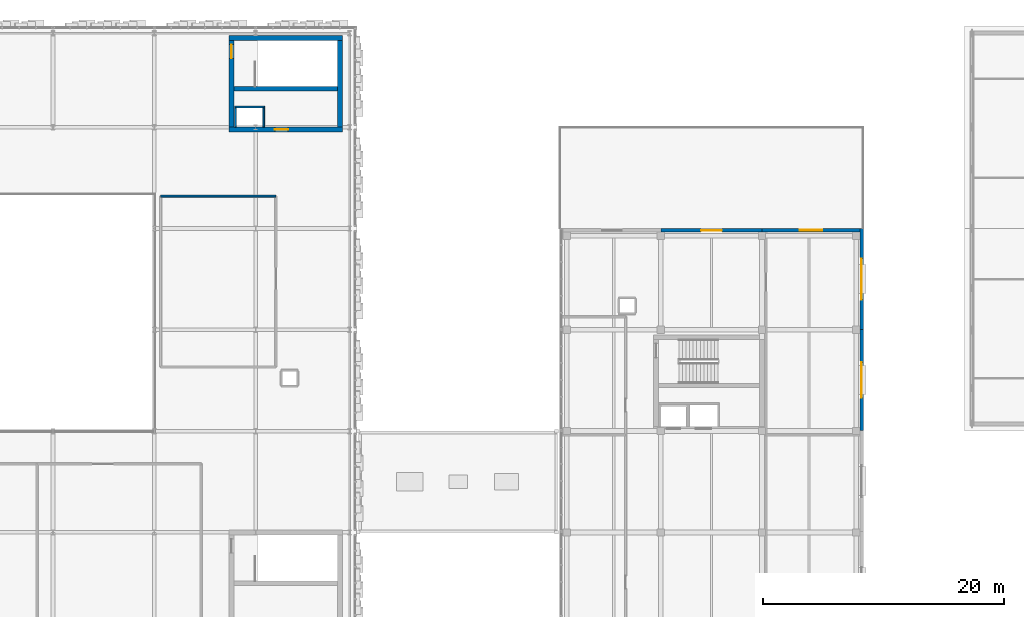
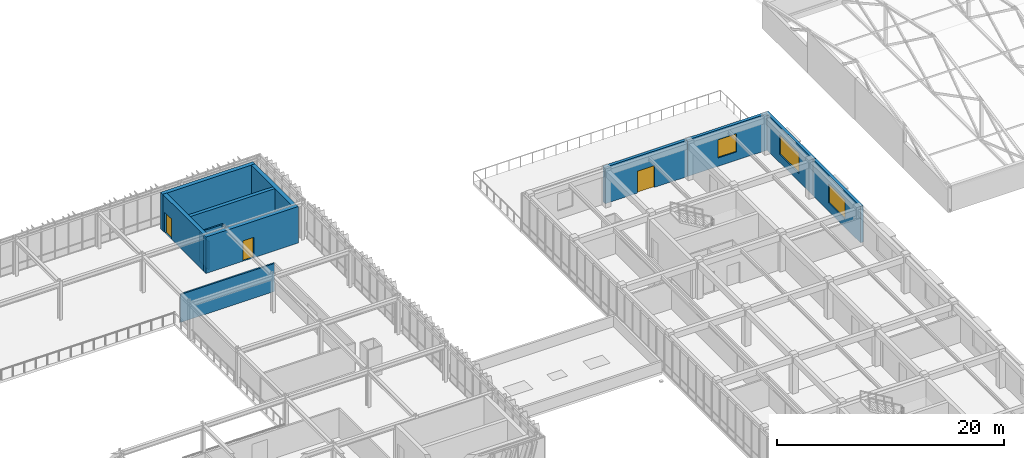
# One storey, part 114 of 123: 13 walls, 3 doors, 3 windows, 6 openings.
"""IFC4 building model written with IfcOpenShell, lengths in metres."""

from ifc_helpers import new_model, si_unit, direction, frame, frame_2d, origin, place, context, subcontext, project, spatial, rectangle, extrude, material, layer, layer_set, type_object, element, fill, save


model = new_model("IFC4")

# Units and contexts
model_context = context("Model", 3, precision=1e-05, world=origin(), true_north=direction((0.0, 1.0)))
body_context = subcontext(model_context, "Body", "Model", "MODEL_VIEW")
ifc_project = project(units=[si_unit("LENGTHUNIT", "METRE"), si_unit("AREAUNIT", "SQUARE_METRE"), si_unit("VOLUMEUNIT", "CUBIC_METRE"), si_unit("PLANEANGLEUNIT", "RADIAN"), si_unit("MASSUNIT", "GRAM", prefix="KILO")], contexts=[model_context])

# Site, building, storey
site_placement = place(None, origin())
site = spatial("IfcSite", under=ifc_project, at=site_placement, CompositionType="ELEMENT")
building_placement = place(site_placement, origin())
building = spatial("IfcBuilding", under=site, at=building_placement, Name="Zayran Congress Hotel", CompositionType="ELEMENT")
storey_placement = place(building_placement, frame((0.0, 0.0, 15.0)))
storey = spatial("IfcBuildingStorey", under=building, at=storey_placement, Name="L03", CompositionType="ELEMENT", Elevation=15.0)

# Wall, opening, door
ifc_material_1 = material(Name="Ajlun white limestone and insulated concrete C32/40", Category="masonry")
ifc_layer_1 = layer(ifc_material_1, 0.300048828125)
ifc_layer_set_1 = layer_set([ifc_layer_1], Name="Ajlun white limestone and insulated concrete C32/40")
wall_type_1 = type_object("IfcWallType", Name="WL-EX-300", PredefinedType="SOLIDWALL", material=ifc_layer_set_1)
wall_1_placement = place(storey_placement, frame((117.60009765625, 101.050048828125, 0.0), z_axis=(0.0, 0.0, 1.0), x_axis=(1.0, 0.0, 0.0)))
wall_1 = element("IfcWall", 1, at=wall_1_placement, inside=storey, type_object=wall_type_1, Name="EW-V4-N-L03-1", PredefinedType="SOLIDWALL", context=body_context, shape_type="SweptSolid", body=[
    extrude(rectangle(XDim=8.39990234375, YDim=0.300048828125, at=frame_2d((4.199951171875, 0.0))), origin(), (0.0, 0.0, 1.0), 3.919921875),
])
opening_1_placement = place(wall_1_placement, frame((3.340087890625, 0.0, 0.0)))
opening_1 = element("IfcOpeningElement", 2, at=opening_1_placement, cuts=wall_1, Name="Opening DEX-07", PredefinedType="OPENING", context=body_context, shape_type="SweptSolid", body=[
    extrude(rectangle(XDim=1.719970703125, YDim=2.35009765625, at=frame_2d((0.85986328125, 1.175048828125))), frame((0.0, 0.159912109375, 0.0), z_axis=(0.0, -1.0, 0.0), x_axis=(1.0, 0.0, 0.0)), (0.0, 0.0, 1.0), 0.320068359375),
])
ifc_material_2 = material(Name="Anodised aluminium garden terrace door", Category="aluminium")
door_type_1 = type_object("IfcDoorType", Name="TP-DEX-07", OperationType="DOUBLE_DOOR_SINGLE_SWING", PredefinedType="DOOR", material=ifc_material_2)
door_1_placement = place(opening_1_placement, origin())
door_1 = element("IfcDoor", 3, at=door_1_placement, inside=storey, type_object=door_type_1, Name="V4 L03 N Terrace Access Door", OperationType="DOUBLE_DOOR_SINGLE_SWING", OverallHeight=2.35009765625, OverallWidth=1.719970703125, PredefinedType="DOOR", context=body_context, shape_type="SweptSolid", body=[
    extrude(rectangle(XDim=1.719970703125, YDim=2.35009765625, at=frame_2d((0.85986328125, 1.175048828125))), frame((0.0, 0.02490234375, 0.0), z_axis=(0.0, -1.0, 0.0), x_axis=(1.0, 0.0, 0.0)), (0.0, 0.0, 1.0), 0.050048828125),
])
fill(opening_1, door_1)

# Wall, opening, window
wall_2_placement = place(storey_placement, frame((126.0, 101.050048828125, 0.0), z_axis=(0.0, 0.0, 1.0), x_axis=(1.0, 0.0, 0.0)))
wall_2 = element("IfcWall", 4, at=wall_2_placement, inside=storey, type_object=wall_type_1, Name="EW-V4-N-L03-2", PredefinedType="SOLIDWALL", context=body_context, shape_type="SweptSolid", body=[
    extrude(rectangle(XDim=8.10009765625, YDim=0.300048828125, at=frame_2d((4.050048828125, 0.0))), origin(), (0.0, 0.0, 1.0), 3.919921875),
])
opening_2_placement = place(wall_2_placement, frame((3.110107421875, 0.0, 0.89990234375)))
opening_2 = element("IfcOpeningElement", 5, at=opening_2_placement, cuts=wall_2, Name="Opening WN-38", PredefinedType="OPENING", context=body_context, shape_type="SweptSolid", body=[
    extrude(rectangle(XDim=1.8798828125, YDim=1.949951171875, at=frame_2d((0.93994140625, 0.97509765625))), frame((0.0, 0.159912109375, 0.0), z_axis=(0.0, -1.0, 0.0), x_axis=(1.0, 0.0, 0.0)), (0.0, 0.0, 1.0), 0.320068359375),
])
ifc_material_3 = material(Name="Anodised aluminium and low-E insulated glass", Category="aluminium")
window_type_1 = type_object("IfcWindowType", Name="TP-WN-38", PartitioningType="DOUBLE_PANEL_VERTICAL", PredefinedType="WINDOW", material=ifc_material_3)
window_1_placement = place(opening_2_placement, origin())
window_1 = element("IfcWindow", 6, at=window_1_placement, inside=storey, type_object=window_type_1, Name="WIN-V4-0152", OverallHeight=1.949951171875, OverallWidth=1.8798828125, PartitioningType="SINGLE_PANEL", PredefinedType="WINDOW", context=body_context, shape_type="SweptSolid", body=[
    extrude(rectangle(XDim=1.8798828125, YDim=1.949951171875, at=frame_2d((0.93994140625, 0.97509765625))), frame((0.0, 0.030029296875, 0.0), z_axis=(0.0, -1.0, 0.0), x_axis=(1.0, 0.0, 0.0)), (0.0, 0.0, 1.0), 0.06005859375),
])
fill(opening_2, window_1)

wall_3_placement = place(storey_placement, frame((134.25, 92.821044921875, 0.0), z_axis=(0.0, 0.0, 1.0), x_axis=(0.0, -1.0, 0.0)))
wall_3 = element("IfcWall", 7, at=wall_3_placement, inside=storey, type_object=wall_type_1, Name="EW-V4-E-L03-5", PredefinedType="SOLIDWALL", context=body_context, shape_type="SweptSolid", body=[
    extrude(rectangle(XDim=8.3779296875, YDim=0.300048828125, at=frame_2d((4.18896484375, 0.0))), origin(), (0.0, 0.0, 1.0), 3.919921875),
])
opening_3_placement = place(wall_3_placement, frame((2.714111328125, 0.0, 0.89990234375)))
opening_3 = element("IfcOpeningElement", 8, at=opening_3_placement, cuts=wall_3, Name="Opening WN-44", PredefinedType="OPENING", context=body_context, shape_type="SweptSolid", body=[
    extrude(rectangle(XDim=2.949951171875, YDim=2.050048828125, at=frame_2d((1.47509765625, 1.02490234375))), frame((0.0, 0.159912109375, 0.0), z_axis=(0.0, -1.0, 0.0), x_axis=(1.0, 0.0, 0.0)), (0.0, 0.0, 1.0), 0.320068359375),
])
window_type_2 = type_object("IfcWindowType", Name="TP-WN-44", PartitioningType="TRIPLE_PANEL_VERTICAL", PredefinedType="WINDOW", material=ifc_material_3)
window_2_placement = place(opening_3_placement, origin())
window_2 = element("IfcWindow", 9, at=window_2_placement, inside=storey, type_object=window_type_2, Name="WIN-V4-0158", OverallHeight=2.050048828125, OverallWidth=2.949951171875, PartitioningType="SINGLE_PANEL", PredefinedType="WINDOW", context=body_context, shape_type="SweptSolid", body=[
    extrude(rectangle(XDim=2.949951171875, YDim=2.050048828125, at=frame_2d((1.47509765625, 1.02490234375))), frame((0.0, 0.030029296875, 0.0), z_axis=(0.0, -1.0, 0.0), x_axis=(1.0, 0.0, 0.0)), (0.0, 0.0, 1.0), 0.06005859375),
])
fill(opening_3, window_2)

wall_4_placement = place(storey_placement, frame((134.25, 101.199951171875, 0.0), z_axis=(0.0, 0.0, 1.0), x_axis=(0.0, -1.0, 0.0)))
wall_4 = element("IfcWall", 10, at=wall_4_placement, inside=storey, type_object=wall_type_1, Name="EW-V4-E-L03-6", PredefinedType="SOLIDWALL", context=body_context, shape_type="SweptSolid", body=[
    extrude(rectangle(XDim=8.37890625, YDim=0.300048828125, at=frame_2d((4.189453125, 0.0))), origin(), (0.0, 0.0, 1.0), 3.919921875),
])
opening_4_placement = place(wall_4_placement, frame((2.489990234375, 0.0, 0.89990234375)))
opening_4 = element("IfcOpeningElement", 11, at=opening_4_placement, cuts=wall_4, Name="Opening WN-45", PredefinedType="OPENING", context=body_context, shape_type="SweptSolid", body=[
    extrude(rectangle(XDim=3.39990234375, YDim=2.10009765625, at=frame_2d((1.699951171875, 1.050048828125))), frame((0.0, 0.159912109375, 0.0), z_axis=(0.0, -1.0, 0.0), x_axis=(1.0, 0.0, 0.0)), (0.0, 0.0, 1.0), 0.320068359375),
])
window_type_3 = type_object("IfcWindowType", Name="TP-WN-45", PartitioningType="TRIPLE_PANEL_VERTICAL", PredefinedType="WINDOW", material=ifc_material_3)
window_3_placement = place(opening_4_placement, origin())
window_3 = element("IfcWindow", 12, at=window_3_placement, inside=storey, type_object=window_type_3, Name="WIN-V4-0159", OverallHeight=2.10009765625, OverallWidth=3.39990234375, PartitioningType="SINGLE_PANEL", PredefinedType="WINDOW", context=body_context, shape_type="SweptSolid", body=[
    extrude(rectangle(XDim=3.39990234375, YDim=2.10009765625, at=frame_2d((1.699951171875, 1.050048828125))), frame((0.0, 0.030029296875, 0.0), z_axis=(0.0, -1.0, 0.0), x_axis=(1.0, 0.0, 0.0)), (0.0, 0.0, 1.0), 0.06005859375),
])
fill(opening_4, window_3)

# Wall, opening, door
ifc_material_4 = material(Name="Concrete C40/50", Category="concrete")
ifc_layer_2 = layer(ifc_material_4, 0.39990234375)
ifc_layer_set_2 = layer_set([ifc_layer_2], Name="Concrete C40/50")
wall_type_2 = type_object("IfcWallType", Name="WL-SH-400", PredefinedType="SHEAR", material=ifc_layer_set_2)
wall_5_placement = place(storey_placement, frame((81.800048828125, 109.39990234375, 0.0), z_axis=(0.0, 0.0, 1.0), x_axis=(1.0, 0.0, 0.0)))
wall_5 = element("IfcWall", 13, at=wall_5_placement, inside=storey, type_object=wall_type_2, Name="CWALL-C-V1E-L03-S", PredefinedType="SHEAR", context=body_context, shape_type="SweptSolid", body=[
    extrude(rectangle(XDim=9.39990234375, YDim=0.39990234375, at=frame_2d((4.699951171875, 0.0))), origin(), (0.0, 0.0, 1.0), 3.919921875),
])
opening_5_placement = place(wall_5_placement, frame((3.800048828125, 0.0, 0.0)))
opening_5 = element("IfcOpeningElement", 14, at=opening_5_placement, cuts=wall_5, Name="Opening LD-PL05", PredefinedType="OPENING", context=body_context, shape_type="SweptSolid", body=[
    extrude(rectangle(XDim=1.10009765625, YDim=2.199951171875, at=frame_2d((0.550048828125, 1.10009765625))), frame((0.0, 0.2099609375, 0.0), z_axis=(0.0, -1.0, 0.0), x_axis=(1.0, 0.0, 0.0)), (0.0, 0.0, 1.0), 0.419921875),
])
ifc_material_5 = material(Name="Brushed stainless steel sliding lift landing door", Category="steel")
door_type_2 = type_object("IfcDoorType", Name="TP-DR-LD-01", OperationType="DOUBLE_DOOR_SLIDING", PredefinedType="DOOR", material=ifc_material_5)
door_2_placement = place(opening_5_placement, origin())
door_2 = element("IfcDoor", 15, at=door_2_placement, inside=storey, type_object=door_type_2, Name="Lift PL-05 Sliding Landing Door L03", OperationType="DOUBLE_DOOR_SLIDING", OverallHeight=2.199951171875, OverallWidth=1.10009765625, PredefinedType="DOOR", context=body_context, shape_type="SweptSolid", body=[
    extrude(rectangle(XDim=1.10009765625, YDim=2.199951171875, at=frame_2d((0.550048828125, 1.10009765625))), frame((0.0, 0.02490234375, 0.0), z_axis=(0.0, -1.0, 0.0), x_axis=(1.0, 0.0, 0.0)), (0.0, 0.0, 1.0), 0.050048828125),
])
fill(opening_5, door_2)

# Wall
wall_6_placement = place(storey_placement, frame((91.199951171875, 116.985107421875, 0.0), z_axis=(0.0, 0.0, 1.0), x_axis=(-1.0, 0.0, 0.0)))
element("IfcWall", 16, at=wall_6_placement, inside=storey, type_object=wall_type_2, Name="CWALL-C-V1E-L03-N", PredefinedType="SHEAR", context=body_context, shape_type="SweptSolid", body=[
    extrude(rectangle(XDim=9.39990234375, YDim=0.39990234375, at=frame_2d((4.699951171875, 0.0))), origin(), (0.0, 0.0, 1.0), 3.919921875),
])

# Wall, opening, door
wall_7_placement = place(storey_placement, frame((82.0, 116.800048828125, 0.0), z_axis=(0.0, 0.0, 1.0), x_axis=(0.0, -1.0, 0.0)))
wall_7 = element("IfcWall", 17, at=wall_7_placement, inside=storey, type_object=wall_type_2, Name="CWALL-C-V1E-L03-W", PredefinedType="SHEAR", context=body_context, shape_type="SweptSolid", body=[
    extrude(rectangle(XDim=7.199951171875, YDim=0.39990234375, at=frame_2d((3.60009765625, 0.0))), origin(), (0.0, 0.0, 1.0), 3.919921875),
])
opening_6_placement = place(wall_7_placement, frame((0.35009765625, 0.0, 0.0)))
opening_6 = element("IfcOpeningElement", 18, at=opening_6_placement, cuts=wall_7, Name="Opening DR-FD-90", PredefinedType="OPENING", context=body_context, shape_type="SweptSolid", body=[
    extrude(rectangle(XDim=1.14990234375, YDim=2.199951171875, at=frame_2d((0.574951171875, 1.10009765625))), frame((0.0, 0.2099609375, 0.0), z_axis=(0.0, -1.0, 0.0), x_axis=(1.0, 0.0, 0.0)), (0.0, 0.0, 1.0), 0.419921875),
])
ifc_material_6 = material(Name="Painted steel fire door assembly", Category="steel")
door_type_3 = type_object("IfcDoorType", Name="TP-DR-FD-90", OperationType="NOTDEFINED", PredefinedType="DOOR", material=ifc_material_6)
door_3_placement = place(opening_6_placement, origin())
door_3 = element("IfcDoor", 19, at=door_3_placement, inside=storey, type_object=door_type_3, Name="ST-04 Exit Stair Door L03", OperationType="SINGLE_SWING_LEFT", OverallHeight=2.199951171875, OverallWidth=1.14990234375, PredefinedType="DOOR", context=body_context, shape_type="SweptSolid", body=[
    extrude(rectangle(XDim=1.14990234375, YDim=2.199951171875, at=frame_2d((0.574951171875, 1.10009765625))), frame((0.0, 0.02490234375, 0.0), z_axis=(0.0, -1.0, 0.0), x_axis=(1.0, 0.0, 0.0)), (0.0, 0.0, 1.0), 0.050048828125),
])
fill(opening_6, door_3)

# Walls
wall_8_placement = place(storey_placement, frame((91.0, 109.60009765625, 0.0), z_axis=(0.0, 0.0, 1.0), x_axis=(0.0, 1.0, 0.0)))
element("IfcWall", 20, at=wall_8_placement, inside=storey, type_object=wall_type_2, Name="CWALL-C-V1E-L03-E", PredefinedType="SHEAR", context=body_context, shape_type="SweptSolid", body=[
    extrude(rectangle(XDim=7.199951171875, YDim=0.39990234375, at=frame_2d((3.60009765625, 0.0))), origin(), (0.0, 0.0, 1.0), 3.919921875),
])
ifc_layer_3 = layer(ifc_material_4, 0.35009765625)
ifc_layer_set_3 = layer_set([ifc_layer_3], Name="Concrete C40/50")
wall_type_3 = type_object("IfcWallType", Name="WL-SH-350", PredefinedType="SHEAR", material=ifc_layer_set_3)
wall_9_placement = place(storey_placement, frame((82.199951171875, 112.784912109375, 0.0), z_axis=(0.0, 0.0, 1.0), x_axis=(1.0, 0.0, 0.0)))
element("IfcWall", 21, at=wall_9_placement, inside=storey, type_object=wall_type_3, Name="CWALL-C-V1E-L03-SPN", PredefinedType="SHEAR", context=body_context, shape_type="SweptSolid", body=[
    extrude(rectangle(XDim=8.60009765625, YDim=0.35009765625, at=frame_2d((4.300048828125, 0.0))), origin(), (0.0, 0.0, 1.0), 3.919921875),
])
ifc_material_7 = material(Name="Acoustic twin-stud gypsum partition", Category="gypsum")
ifc_layer_4 = layer(ifc_material_7, 0.159912109375)
ifc_layer_set_4 = layer_set([ifc_layer_4], Name="Acoustic twin-stud gypsum partition")
wall_type_4 = type_object("IfcWallType", Name="WL-PT-160", PredefinedType="PARTITIONING", material=ifc_layer_set_4)
wall_10_placement = place(storey_placement, frame((76.1201171875, 103.8798828125, 0.0), z_axis=(0.0, 0.0, 1.0), x_axis=(1.0, 0.0, 0.0)))
element("IfcWall", 22, at=wall_10_placement, inside=storey, type_object=wall_type_4, Name="IW-L03-1877", PredefinedType="PARTITIONING", context=body_context, shape_type="SweptSolid", body=[
    extrude(rectangle(XDim=9.559814453125, YDim=0.159912109375, at=frame_2d((4.77978515625, 0.0))), origin(), (0.0, 0.0, 1.0), 3.02001953125),
])
ifc_material_8 = material(Name="Hospitality guestroom acoustic partition", Category="gypsum")
ifc_layer_5 = layer(ifc_material_8, 0.139892578125)
ifc_layer_set_5 = layer_set([ifc_layer_5], Name="Hospitality guestroom acoustic partition")
wall_type_5 = type_object("IfcWallType", Name="WL-PT-140", PredefinedType="PARTITIONING", material=ifc_layer_set_5)
for number, where, z_axis, x_axis, name in (
    (23, (82.330078125, 109.60009765625, 0.0), (0.0, 0.0, 1.0), (0.0, 1.0, 0.0), "LSHW-C-V1E-L03-W"),
    (24, (84.669921875, 109.60009765625, 0.0), (0.0, 0.0, 1.0), (0.0, 1.0, 0.0), "LSHW-C-V1E-L03-E"),
):
    element("IfcWall", number, at=place(storey_placement, frame(where, z_axis=z_axis, x_axis=x_axis)), inside=storey, type_object=wall_type_5, Name=name, PredefinedType="PARTITIONING", context=body_context, shape_type="SweptSolid", body=[
        extrude(rectangle(XDim=1.599853515625, YDim=0.139892578125, at=frame_2d((0.7998046875, 0.0))), origin(), (0.0, 0.0, 1.0), 3.070068359375),
    ])
wall_11_placement = place(storey_placement, frame((82.260009765625, 111.27001953125, 0.0), z_axis=(0.0, 0.0, 1.0), x_axis=(1.0, 0.0, 0.0)))
element("IfcWall", 25, at=wall_11_placement, inside=storey, type_object=wall_type_5, Name="LSHW-C-V1E-L03-N", PredefinedType="PARTITIONING", context=body_context, shape_type="SweptSolid", body=[
    extrude(rectangle(XDim=2.47998046875, YDim=0.139892578125, at=frame_2d((1.239990234375, 0.0))), origin(), (0.0, 0.0, 1.0), 3.070068359375),
])

save(model, "model.ifc")
